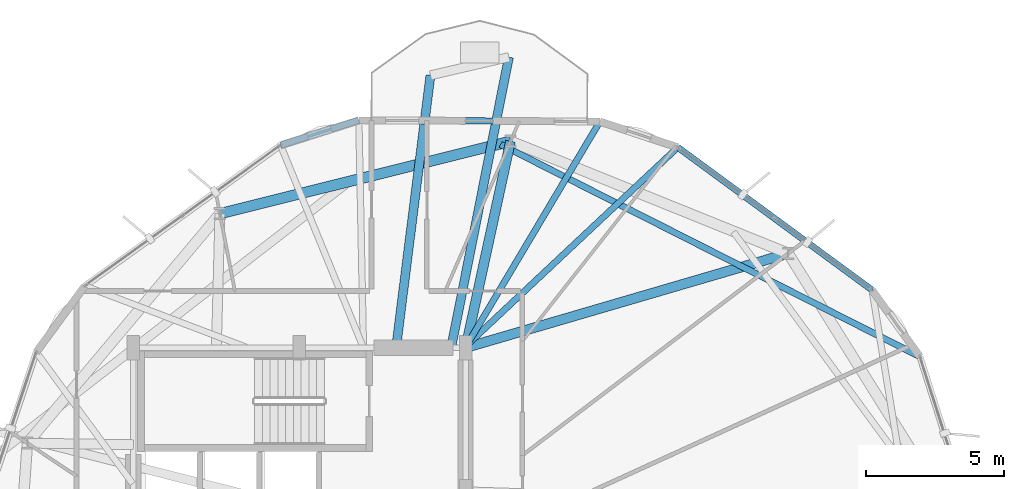
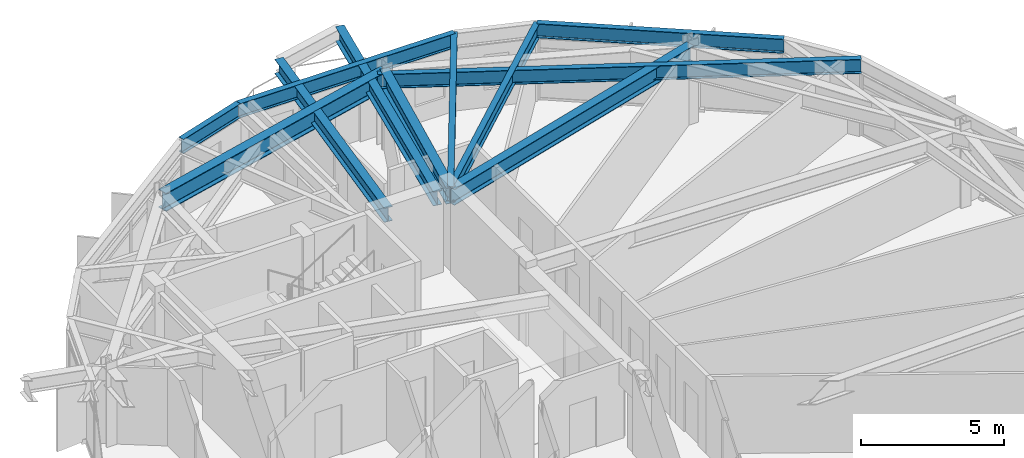
# One storey, part 13 of 24: 11 beams.
"""IFC4 building model written with IfcOpenShell, lengths in metres."""

from ifc_helpers import new_model, si_unit, direction, frame, origin, origin_2d, place, context, subcontext, project, spatial, i_section, extrude, material, material_profile, profile_set, type_object, element, save


model = new_model("IFC4")

# Units and contexts
model_context = context("Model", 3, precision=1e-05, world=origin(), true_north=direction((0.0, 1.0)))
body_context = subcontext(model_context, "Body", "Model", "MODEL_VIEW")
ifc_project = project(units=[si_unit("LENGTHUNIT", "METRE"), si_unit("AREAUNIT", "SQUARE_METRE"), si_unit("VOLUMEUNIT", "CUBIC_METRE"), si_unit("PLANEANGLEUNIT", "RADIAN"), si_unit("MASSUNIT", "GRAM", prefix="KILO")], contexts=[model_context])

# Site, building, storey
site_placement = place(None, origin())
site = spatial("IfcSite", under=ifc_project, at=site_placement, CompositionType="ELEMENT")
building_placement = place(site_placement, origin())
building = spatial("IfcBuilding", under=site, at=building_placement, Name="Soratama Intermodal Tower", CompositionType="ELEMENT")
storey_placement = place(building_placement, frame((0.0, 0.0, 164.199951171875)))
storey = spatial("IfcBuildingStorey", under=building, at=storey_placement, Name="L40", CompositionType="ELEMENT", Elevation=164.199951171875)

# Beams
ifc_material_1 = material(Name="Structural steel ASTM A992 Grade 50", Category="steel")
ifc_material_profile_1 = material_profile(ifc_material_1, i_section(OverallWidth=0.324951171875, OverallDepth=0.615966796875, WebThickness=0.013916015625, FlangeThickness=0.021484375, FilletRadius=0.013916015625, at=origin_2d()), Name="W24X117")
ifc_profile_set_1 = profile_set([ifc_material_profile_1], Name="Structural steel ASTM A992 Grade 50")
beam_type_1 = type_object("IfcBeamType", Name="BM-CANT-W24X117", PredefinedType="BEAM", material=ifc_profile_set_1)
beam_1_placement = place(storey_placement, frame((44.083984375, 35.0390625, 2.991943359375), z_axis=(0.195023818097, 0.980798506511, 0.0), x_axis=(-0.980798506511, 0.195023818097, 0.0)))
element("IfcBeam", 1, at=beam_1_placement, inside=storey, type_object=beam_type_1, Name="BM-L40-CANT-1-1", PredefinedType="BEAM", context=body_context, shape_type="SweptSolid", body=[
    extrude(i_section(OverallWidth=0.324951171875, OverallDepth=0.615966796875, WebThickness=0.013916015625, FlangeThickness=0.021484375, FilletRadius=0.013916015625, at=origin_2d()), origin(), (0.0, 0.0, 1.0), 10.66064453125),
])
beam_2_placement = place(storey_placement, frame((42.093994140625, 35.0400390625, 2.991943359375), z_axis=(0.125166532534, 0.992135746324, 0.0), x_axis=(-0.992135746324, 0.125166532534, 0.0)))
element("IfcBeam", 2, at=beam_2_placement, inside=storey, type_object=beam_type_1, Name="BM-L40-CANT-1-2", PredefinedType="BEAM", context=body_context, shape_type="SweptSolid", body=[
    extrude(i_section(OverallWidth=0.324951171875, OverallDepth=0.615966796875, WebThickness=0.013916015625, FlangeThickness=0.021484375, FilletRadius=0.013916015625, at=origin_2d()), origin(), (0.0, 0.0, 1.0), 9.87548828125),
])
ifc_material_2 = material(Name="Structural steel ASTM A992 Grade 50", Category="steel")
ifc_material_profile_2 = material_profile(ifc_material_2, i_section(OverallWidth=0.35498046875, OverallDepth=0.695068359375, WebThickness=0.015380859375, FlangeThickness=0.02490234375, FilletRadius=0.01611328125, at=origin_2d()), Name="W27X146")
ifc_profile_set_2 = profile_set([ifc_material_profile_2], Name="Structural steel ASTM A992 Grade 50")
beam_type_2 = type_object("IfcBeamType", Name="BM-RING-W27X146", PredefinedType="BEAM", material=ifc_profile_set_2)
beam_3_placement = place(storey_placement, frame((44.60009765625, 35.0, 2.95263671875), z_axis=(0.959813691047, 0.280637984738, 0.0), x_axis=(-0.280637984738, 0.959813691047, 0.0)))
element("IfcBeam", 3, at=beam_3_placement, inside=storey, type_object=beam_type_2, Name="BM-L40-RAD-02", PredefinedType="BEAM", context=body_context, shape_type="SweptSolid", body=[
    extrude(i_section(OverallWidth=0.35498046875, OverallDepth=0.695068359375, WebThickness=0.015380859375, FlangeThickness=0.02490234375, FilletRadius=0.01611328125, at=origin_2d()), origin(), (0.0, 0.0, 1.0), 12.13671875),
])
beam_4_placement = place(storey_placement, frame((44.60009765625, 35.0, 2.95263671875), z_axis=(0.212399095304, 0.977183004515, 0.0), x_axis=(-0.977183004515, 0.212399095304, 0.0)))
element("IfcBeam", 4, at=beam_4_placement, inside=storey, type_object=beam_type_2, Name="BM-L40-RAD-03", PredefinedType="BEAM", context=body_context, shape_type="SweptSolid", body=[
    extrude(i_section(OverallWidth=0.35498046875, OverallDepth=0.695068359375, WebThickness=0.015380859375, FlangeThickness=0.02490234375, FilletRadius=0.01611328125, at=origin_2d()), origin(), (0.0, 0.0, 1.0), 7.631103515625),
])
ifc_material_3 = material(Name="Structural steel ASTM A992 Grade 50", Category="steel")
ifc_material_profile_3 = material_profile(ifc_material_3, i_section(OverallWidth=0.382080078125, OverallDepth=0.779052734375, WebThickness=0.01806640625, FlangeThickness=0.030029296875, FilletRadius=0.01806640625, at=origin_2d()), Name="W30X191")
ifc_profile_set_3 = profile_set([ifc_material_profile_3], Name="Structural steel ASTM A992 Grade 50")
beam_type_3 = type_object("IfcBeamType", Name="BM-RING-W30X191", PredefinedType="BEAM", material=ifc_profile_set_3)
beam_5_placement = place(storey_placement, frame((46.220947265625, 42.45703125, 2.91064453125), z_axis=(-0.970310893227, -0.241861056155, 0.0), x_axis=(0.241861056155, -0.970310893227, 0.0)))
element("IfcBeam", 5, at=beam_5_placement, inside=storey, type_object=beam_type_3, Name="BM-L40-RING-03", PredefinedType="BEAM", context=body_context, shape_type="SweptSolid", body=[
    extrude(i_section(OverallWidth=0.382080078125, OverallDepth=0.779052734375, WebThickness=0.01806640625, FlangeThickness=0.030029296875, FilletRadius=0.01806640625, at=origin_2d()), origin(), (0.0, 0.0, 1.0), 10.81591796875),
])
ifc_material_4 = material(Name="Structural steel ASTM A992 Grade 50", Category="steel")
ifc_material_profile_4 = material_profile(ifc_material_4, i_section(OverallWidth=0.22900390625, OverallDepth=0.612060546875, WebThickness=0.011962890625, FlangeThickness=0.01953125, FilletRadius=0.012939453125, at=origin_2d()), Name="W24X84")
ifc_profile_set_4 = profile_set([ifc_material_profile_4], Name="Structural steel ASTM A992 Grade 50")
beam_type_4 = type_object("IfcBeamType", Name="BM-SPN-W24X84", PredefinedType="SPANDREL", material=ifc_profile_set_4)
beam_6_placement = place(storey_placement, frame((59.277099609375, 37.0859375, 2.994140625), z_axis=(-0.80594545539, 0.59198979969, 0.0), x_axis=(-0.59198979969, -0.80594545539, 0.0)))
element("IfcBeam", 6, at=beam_6_placement, inside=storey, type_object=beam_type_4, Name="BS-L40-F01", PredefinedType="SPANDREL", context=body_context, shape_type="SweptSolid", body=[
    extrude(i_section(OverallWidth=0.22900390625, OverallDepth=0.612060546875, WebThickness=0.011962890625, FlangeThickness=0.01953125, FilletRadius=0.012939453125, at=origin_2d()), origin(), (0.0, 0.0, 1.0), 8.703125),
])
beam_7_placement = place(storey_placement, frame((49.447021484375, 43.1689453125, 2.994140625), z_axis=(-0.999985945541, 0.005301765701, 0.0), x_axis=(-0.005301765701, -0.999985945541, 0.0)))
element("IfcBeam", 7, at=beam_7_placement, inside=storey, type_object=beam_type_4, Name="BS-L40-F02", PredefinedType="SPANDREL", context=body_context, shape_type="SweptSolid", body=[
    extrude(i_section(OverallWidth=0.22900390625, OverallDepth=0.612060546875, WebThickness=0.011962890625, FlangeThickness=0.01953125, FilletRadius=0.012939453125, at=origin_2d()), origin(), (0.0, 0.0, 1.0), 8.703369140625),
])
beam_8_placement = place(storey_placement, frame((40.743896484375, 43.215087890625, 2.994140625), z_axis=(-0.952638921156, -0.304103742002, 0.0), x_axis=(0.304103742002, -0.952638921156, 0.0)))
element("IfcBeam", 8, at=beam_8_placement, inside=storey, type_object=beam_type_4, Name="BS-L40-CRN02", PredefinedType="SPANDREL", context=body_context, shape_type="SweptSolid", body=[
    extrude(i_section(OverallWidth=0.22900390625, OverallDepth=0.612060546875, WebThickness=0.011962890625, FlangeThickness=0.01953125, FilletRadius=0.012939453125, at=origin_2d()), origin(), (0.0, 0.0, 1.0), 2.96630859375),
])
ifc_material_5 = material(Name="Structural steel ASTM A992 Grade 50", Category="steel")
ifc_material_profile_5 = material_profile(ifc_material_5, i_section(OverallWidth=0.22900390625, OverallDepth=0.612060546875, WebThickness=0.011962890625, FlangeThickness=0.01953125, FilletRadius=0.012939453125, at=origin_2d()), Name="W24X84")
ifc_profile_set_5 = profile_set([ifc_material_profile_5], Name="Structural steel ASTM A992 Grade 50")
beam_type_5 = type_object("IfcBeamType", Name="BM-TIE-W24X84", PredefinedType="BEAM", material=ifc_profile_set_5)
beam_9_placement = place(storey_placement, frame((44.572021484375, 35.027099609375, 2.994140625), z_axis=(0.729503983744, 0.683976562246, 0.0), x_axis=(-0.683976562246, 0.729503983744, 0.0)))
element("IfcBeam", 9, at=beam_9_placement, inside=storey, type_object=beam_type_5, Name="BM-L40-TIE1-01", PredefinedType="BEAM", context=body_context, shape_type="SweptSolid", body=[
    extrude(i_section(OverallWidth=0.22900390625, OverallDepth=0.612060546875, WebThickness=0.011962890625, FlangeThickness=0.01953125, FilletRadius=0.012939453125, at=origin_2d()), origin(), (0.0, 0.0, 1.0), 10.542724609375),
])
beam_10_placement = place(storey_placement, frame((44.60693359375, 35.033935546875, 2.994140625), z_axis=(0.511313814592, 0.859394078992, 0.0), x_axis=(-0.859394078992, 0.511313814592, 0.0)))
element("IfcBeam", 10, at=beam_10_placement, inside=storey, type_object=beam_type_5, Name="BM-L40-TIE0-02", PredefinedType="BEAM", context=body_context, shape_type="SweptSolid", body=[
    extrude(i_section(OverallWidth=0.22900390625, OverallDepth=0.612060546875, WebThickness=0.011962890625, FlangeThickness=0.01953125, FilletRadius=0.012939453125, at=origin_2d()), origin(), (0.0, 0.0, 1.0), 9.466064453125),
])
beam_11_placement = place(storey_placement, frame((45.864990234375, 42.342041015625, 2.994140625), z_axis=(0.89218944264, -0.451661375857, 0.0), x_axis=(0.451661375857, 0.89218944264, 0.0)))
element("IfcBeam", 11, at=beam_11_placement, inside=storey, type_object=beam_type_5, Name="BM-L40-TIE1-10", PredefinedType="BEAM", context=body_context, shape_type="SweptSolid", body=[
    extrude(i_section(OverallWidth=0.22900390625, OverallDepth=0.612060546875, WebThickness=0.011962890625, FlangeThickness=0.01953125, FilletRadius=0.012939453125, at=origin_2d()), origin(), (0.0, 0.0, 1.0), 16.972900390625),
])

save(model, "model.ifc")
